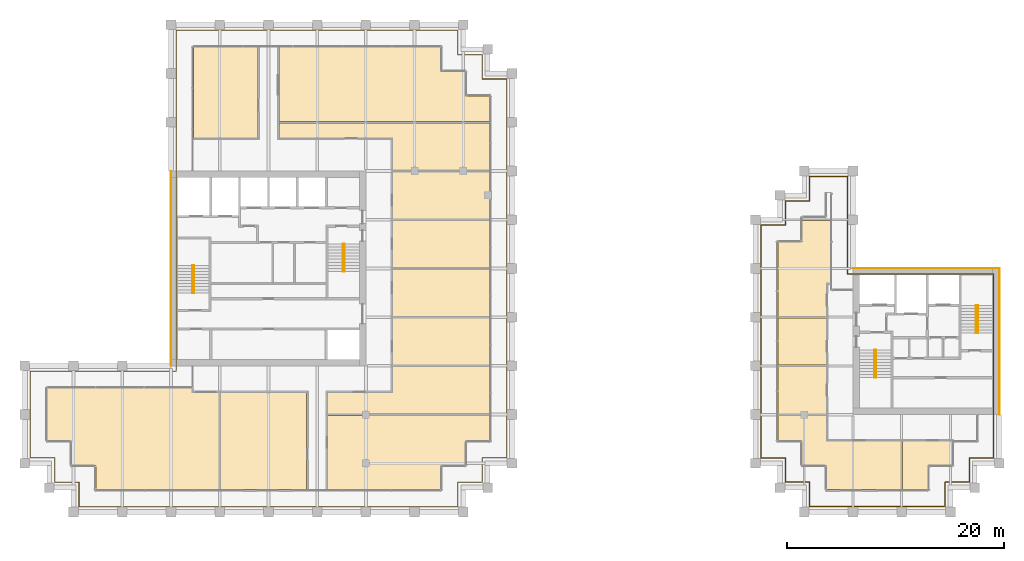
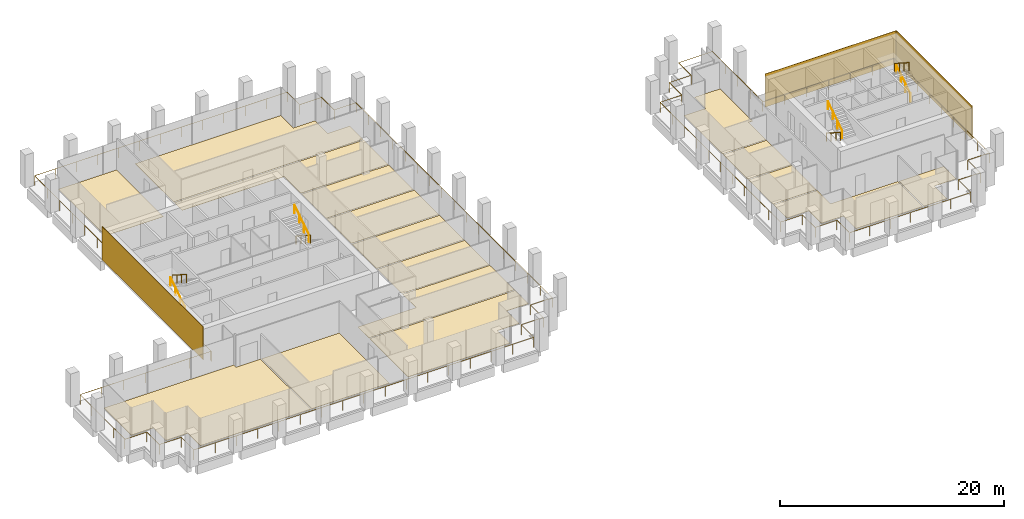
# One storey, part 40 of 40: 19 coverings, 10 railings.
"""IFC4 building model written with IfcOpenShell, lengths in metres."""

import ifcopenshell
import ifcopenshell.guid

model = None  # the IFC model being written
_history = None  # IfcOwnerHistory: only IFC2X3 demands one
_inside = {}  # id of a spatial element -> (the spatial element, [elements in it])
_under = {}  # id of a project, library or spatial element -> (it, [spatial elements below it])
_declared = {}  # id of a project -> (the project, [libraries it declares])
_typed = {}  # id of a type object -> (the type object, [elements of that type])
_made_of = {}  # id of a material, layer set ... -> (it, [elements and type objects made of it])


def new_model(schema):
    """Start an empty IFC model of exactly this schema.

    Asked for "IFC4X3", IfcOpenShell would pick the latest addendum, in which some entities
    have other attributes; the version numbers below select the first issue.
    IFC2X3 requires an IfcOwnerHistory on every rooted entity: one is made here for all.
    """
    global model, _history
    if schema == "IFC4X3":
        model = ifcopenshell.file(schema_version=(4, 3, 0, 0))
    else:
        model = ifcopenshell.file(schema=schema)
    _inside.clear()
    _under.clear()
    _declared.clear()
    _typed.clear()
    _made_of.clear()
    _history = None
    if model.schema == "IFC2X3":
        org = make("IfcOrganization", Name="unknown")
        user = make(
            "IfcPersonAndOrganization",
            ThePerson=make("IfcPerson", FamilyName="unknown"),
            TheOrganization=org,
        )
        app = make(
            "IfcApplication",
            ApplicationDeveloper=org,
            Version="unknown",
            ApplicationFullName="unknown",
            ApplicationIdentifier="unknown",
        )
        _history = make(
            "IfcOwnerHistory",
            OwningUser=user,
            OwningApplication=app,
            ChangeAction="ADDED",
            CreationDate=0,
        )
    return model


def make(cls, **values):
    """One entity of the class cls with the attributes given. An attribute that is None is left unset."""
    return model.create_entity(
        cls, **{name: value for name, value in values.items() if value is not None}
    )


def rooted(cls, **values):
    """An entity with a GlobalId (a new one), such as an element, a storey or a relation."""
    return make(cls, GlobalId=ifcopenshell.guid.new(), OwnerHistory=_history, **values)


def si_unit(unit_type, name, prefix=None):
    """IfcSIUnit, for example si_unit("LENGTHUNIT", "METRE", prefix="MILLI")."""
    return make("IfcSIUnit", UnitType=unit_type, Prefix=prefix, Name=name)


def assignment(units):
    """IfcUnitAssignment: the units of a project."""
    return None if units is None else make("IfcUnitAssignment", Units=units)


def point(xyz):
    """IfcCartesianPoint."""
    return None if xyz is None else make("IfcCartesianPoint", Coordinates=xyz)


def direction(xyz):
    """IfcDirection."""
    return None if xyz is None else make("IfcDirection", DirectionRatios=xyz)


def frame(location, z_axis=None, x_axis=None):
    """IfcAxis2Placement3D, a coordinate frame: its origin and axes. An axis left out is left unset."""
    return make(
        "IfcAxis2Placement3D",
        Location=point(location),
        Axis=direction(z_axis),
        RefDirection=direction(x_axis),
    )


def frame_2d(location, x_axis=None):
    """IfcAxis2Placement2D, a coordinate frame in the plane: its origin and x axis."""
    return make(
        "IfcAxis2Placement2D", Location=point(location), RefDirection=direction(x_axis)
    )


def origin():
    """The frame at (0, 0, 0) with its axes left unset."""
    return frame((0.0, 0.0, 0.0))


def origin_2d():
    """The frame at (0, 0) in the plane with its x axis left unset."""
    return frame_2d((0.0, 0.0))


def place(relative_to, where):
    """IfcLocalPlacement: puts the frame where relative to a parent placement (None: the world)."""
    return make(
        "IfcLocalPlacement", PlacementRelTo=relative_to, RelativePlacement=where
    )


def context(
    kind, dimensions, precision=None, world=None, true_north=None, identifier=None
):
    """IfcGeometricRepresentationContext, for example the 3D "Model" context."""
    return make(
        "IfcGeometricRepresentationContext",
        ContextIdentifier=identifier,
        ContextType=kind,
        CoordinateSpaceDimension=dimensions,
        Precision=precision,
        WorldCoordinateSystem=world,
        TrueNorth=true_north,
    )


def subcontext(parent, identifier, kind, view, scale=None):
    """IfcGeometricRepresentationSubContext, for example "Body" below "Model"."""
    return make(
        "IfcGeometricRepresentationSubContext",
        ContextIdentifier=identifier,
        ContextType=kind,
        ParentContext=parent,
        TargetScale=scale,
        TargetView=view,
    )


def project(units=None, contexts=None):
    """IfcProject with its units and contexts."""
    return rooted(
        "IfcProject",
        Name="project",
        RepresentationContexts=contexts,
        UnitsInContext=assignment(units),
    )


def spatial(cls, under=None, at=None, **own):
    """A site, building, storey or space (cls), placed at a placement, below another one or the project."""
    s = rooted(cls, ObjectPlacement=at, **own)
    if under is not None:
        _under.setdefault(under.id(), (under, []))[1].append(s)
    return s


def polyline(points):
    """IfcPolyline through the points."""
    return make("IfcPolyline", Points=[point(p) for p in points])


def profile(cls, at=None, kind="AREA", **sizes):
    """A parametric profile (cls). Its sizes go by their IFC names, for example OverallWidth=200.0."""
    return make(cls, ProfileType=kind, Position=at, **sizes)


def rectangle(**sizes):
    """IfcRectangleProfileDef."""
    return profile("IfcRectangleProfileDef", **sizes)


def circle(**sizes):
    """IfcCircleProfileDef."""
    return profile("IfcCircleProfileDef", **sizes)


def outline(outer, holes=None, kind="AREA"):
    """IfcArbitraryClosedProfileDef: a profile drawn as a closed curve; with holes, ...WithVoids."""
    if holes is None:
        return make("IfcArbitraryClosedProfileDef", ProfileType=kind, OuterCurve=outer)
    return make(
        "IfcArbitraryProfileDefWithVoids",
        ProfileType=kind,
        OuterCurve=outer,
        InnerCurves=holes,
    )


def extrude(swept, where, along, depth):
    """IfcExtrudedAreaSolid: the profile swept, set in the frame where, extruded along a direction by depth."""
    return make(
        "IfcExtrudedAreaSolid",
        SweptArea=swept,
        Position=where,
        ExtrudedDirection=direction(along),
        Depth=depth,
    )


def shape(context_of_items, identifier, shape_type, items):
    """IfcShapeRepresentation: the items that make up one representation, for example the "Body"."""
    return make(
        "IfcShapeRepresentation",
        ContextOfItems=context_of_items,
        RepresentationIdentifier=identifier,
        RepresentationType=shape_type,
        Items=items,
    )


def source(mapping_origin, context_of_items, identifier, shape_type, items):
    """IfcRepresentationMap: a shape defined once, which mapped items show again and again."""
    return make(
        "IfcRepresentationMap",
        MappingOrigin=mapping_origin,
        MappedRepresentation=shape(context_of_items, identifier, shape_type, items),
    )


def transform(
    local_origin,
    x_axis=None,
    y_axis=None,
    z_axis=None,
    scale=None,
    scale2=None,
    scale3=None,
    uniform=True,
):
    """IfcCartesianTransformationOperator3D, or its non-uniform kind. x_axis, y_axis, z_axis: its Axis1, 2, 3."""
    if uniform:
        return make(
            "IfcCartesianTransformationOperator3D",
            Axis1=direction(x_axis),
            Axis2=direction(y_axis),
            LocalOrigin=point(local_origin),
            Scale=scale,
            Axis3=direction(z_axis),
        )
    return make(
        "IfcCartesianTransformationOperator3DnonUniform",
        Axis1=direction(x_axis),
        Axis2=direction(y_axis),
        LocalOrigin=point(local_origin),
        Scale=scale,
        Axis3=direction(z_axis),
        Scale2=scale2,
        Scale3=scale3,
    )


def mapped(mapping_source, mapping_target):
    """IfcMappedItem: shows the shape of a source again, moved by a transform."""
    return make(
        "IfcMappedItem", MappingSource=mapping_source, MappingTarget=mapping_target
    )


def material(Name=None, Category=None):
    """IfcMaterial."""
    return make("IfcMaterial", Name=Name, Category=Category)


def layer(
    of_material, thickness, ventilated=None, Name=None, Category=None, Priority=None
):
    """IfcMaterialLayer: one layer of a wall or slab, of a material (None: an air gap)."""
    return make(
        "IfcMaterialLayer",
        Material=of_material,
        LayerThickness=thickness,
        IsVentilated=ventilated,
        Name=Name,
        Category=Category,
        Priority=Priority,
    )


def layer_set(layers, Name=None):
    """IfcMaterialLayerSet."""
    return make("IfcMaterialLayerSet", MaterialLayers=layers, LayerSetName=Name)


def made_of(thing, what):
    """Note that an element or type object is made of a material, layer set ...; save() writes the relation."""
    if what is not None:
        _made_of.setdefault(what.id(), (what, []))[1].append(thing)
    return thing


def type_object(cls, material=None, **own):
    """A type object (cls), such as IfcWallType, which elements share."""
    return made_of(rooted(cls, **own), material)


def element(
    cls,
    number,
    at=None,
    inside=None,
    cuts=None,
    type_object=None,
    material=None,
    context=None,
    identifier="Body",
    shape_type=None,
    held_by="IfcProductDefinitionShape",
    body=None,
    shapes=None,
    **own,
):
    """One element of the class cls, such as IfcWall. Its Tag is "e" and its number.

    at: its placement. inside: the storey or other place that contains it. cuts: it is an
    opening in that element (IfcRelVoidsElement). A single representation is given by context,
    identifier, shape_type and body (its items); several are given by shapes. held_by: the class
    of the entity that holds the representations. save() writes the other relations.
    """
    e = rooted(cls, Tag="e%d" % number, ObjectPlacement=at, **own)
    if body is not None:
        shapes = [shape(context, identifier, shape_type, body)]
    if shapes is not None:
        e.Representation = make(held_by, Representations=shapes)
    if inside is not None:
        _inside.setdefault(inside.id(), (inside, []))[1].append(e)
    if cuts is not None:
        rooted(
            "IfcRelVoidsElement", RelatingBuildingElement=cuts, RelatedOpeningElement=e
        )
    if type_object is not None:
        _typed.setdefault(type_object.id(), (type_object, []))[1].append(e)
    return made_of(e, material)


def aggregate(whole, parts):
    """IfcRelAggregates: a whole, such as a stair, and the parts it consists of."""
    return rooted("IfcRelAggregates", RelatingObject=whole, RelatedObjects=parts)


def save(model, path):
    """Write the relations noted so far, then the file.

    IfcRelAggregates (storeys below a building ...), IfcRelContainedInSpatialStructure (elements
    in a storey), IfcRelDefinesByType, IfcRelAssociatesMaterial and IfcRelDeclares: one each for
    every whole, place, type object, material and project.
    """
    for whole, parts in _under.values():
        aggregate(whole, parts)
    for where, things in _inside.values():
        rooted(
            "IfcRelContainedInSpatialStructure",
            RelatedElements=things,
            RelatingStructure=where,
        )
    for kind, things in _typed.values():
        rooted("IfcRelDefinesByType", RelatedObjects=things, RelatingType=kind)
    for what, things in _made_of.values():
        rooted("IfcRelAssociatesMaterial", RelatedObjects=things, RelatingMaterial=what)
    for by, libraries in _declared.values():
        rooted("IfcRelDeclares", RelatingContext=by, RelatedDefinitions=libraries)
    model.write(path)


model = new_model("IFC4")

# Units and contexts
model_context = context("Model", 3, precision=1e-05, world=origin(), true_north=direction((0.0, 1.0)))
body_context = subcontext(model_context, "Body", "Model", "MODEL_VIEW")
ifc_project = project(units=[si_unit("LENGTHUNIT", "METRE"), si_unit("AREAUNIT", "SQUARE_METRE"), si_unit("VOLUMEUNIT", "CUBIC_METRE"), si_unit("PLANEANGLEUNIT", "RADIAN"), si_unit("MASSUNIT", "GRAM", prefix="KILO")], contexts=[model_context])

# Site, building, storey
site_placement = place(None, origin())
site = spatial("IfcSite", under=ifc_project, at=site_placement, CompositionType="ELEMENT")
building_placement = place(site_placement, origin())
building = spatial("IfcBuilding", under=site, at=building_placement, Name="Altepetl Exchange Towers", CompositionType="ELEMENT")
storey_placement = place(building_placement, frame((0.0, 0.0, 179.800048828125)))
storey = spatial("IfcBuildingStorey", under=building, at=storey_placement, Name="L45", CompositionType="ELEMENT", Elevation=179.800048828125)

# Coverings
ifc_material_1 = material(Name="Carpet tile")
ifc_layer_1 = layer(ifc_material_1, 0.02001953125)
ifc_layer_set_1 = layer_set([ifc_layer_1], Name="Carpet tile")
covering_type_1 = type_object("IfcCoveringType", Name="Carpet tile floor", PredefinedType="FLOORING", material=ifc_layer_set_1)
covering_1_placement = place(storey_placement, origin())
element("IfcCovering", 1, at=covering_1_placement, inside=storey, type_object=covering_type_1, Name="Meeting room floor finish A45.05", PredefinedType="FLOORING", context=body_context, shape_type="SweptSolid", body=[
    extrude(outline(polyline([(69.9375, 44.9375), (60.96240234375, 44.9375), (60.96240234375, 40.5625), (69.9375, 40.5625), (69.9375, 44.9375)])), origin(), (0.0, 0.0, 1.0), 0.02001953125),
])
covering_2_placement = place(storey_placement, origin())
element("IfcCovering", 2, at=covering_2_placement, inside=storey, type_object=covering_type_1, Name="Meeting room floor finish A45.06", PredefinedType="FLOORING", context=body_context, shape_type="SweptSolid", body=[
    extrude(outline(polyline([(69.9375, 49.4375), (60.96240234375, 49.4375), (60.96240234375, 45.0625), (69.9375, 45.0625), (69.9375, 49.4375)])), origin(), (0.0, 0.0, 1.0), 0.02001953125),
])
covering_3_placement = place(storey_placement, origin())
element("IfcCovering", 3, at=covering_3_placement, inside=storey, type_object=covering_type_1, Name="Open office floor finish A45.11", PredefinedType="FLOORING", context=body_context, shape_type="SweptSolid", body=[
    extrude(outline(polyline([(42.5625, 61.5625), (48.53759765625, 61.5625), (48.53759765625, 69.9375), (42.5625, 69.9375), (42.5625, 61.5625)])), origin(), (0.0, 0.0, 1.0), 0.02001953125),
])
covering_4_placement = place(storey_placement, origin())
element("IfcCovering", 4, at=covering_4_placement, inside=storey, type_object=covering_type_1, Name="Pantry floor finish B45.03", PredefinedType="FLOORING", context=body_context, shape_type="SweptSolid", body=[
    extrude(outline(polyline([(108.0625, 33.53759765625), (108.0625, 29.0625), (110.4375, 29.0625), (110.4375, 31.3125), (112.6875, 31.3125), (112.6875, 33.53759765625), (108.0625, 33.53759765625)])), origin(), (0.0, 0.0, 1.0), 0.02001953125),
])
ifc_material_2 = material(Name="Cantera stone", Category="masonry")
ifc_layer_2 = layer(ifc_material_2, 0.030029296875)
ifc_layer_set_2 = layer_set([ifc_layer_2], Name="Cantera stone")
covering_type_2 = type_object("IfcCoveringType", Name="Polished stone floor", PredefinedType="FLOORING", material=ifc_layer_set_2)
covering_5_placement = place(storey_placement, origin())
element("IfcCovering", 5, at=covering_5_placement, inside=storey, type_object=covering_type_2, Name="Staff club floor finish A45.01", PredefinedType="FLOORING", context=body_context, shape_type="SweptSolid", body=[
    extrude(outline(polyline([(31.3125, 31.3125), (33.5625, 31.3125), (33.5625, 29.0625), (44.9375, 29.0625), (44.9375, 38.03759765625), (42.4375, 38.03759765625), (42.4375, 38.4375), (29.0625, 38.4375), (29.0625, 33.5625), (31.3125, 33.5625), (31.3125, 31.3125)])), origin(), (0.0, 0.0, 1.0), 0.030029296875),
])
covering_6_placement = place(storey_placement, origin())
element("IfcCovering", 6, at=covering_6_placement, inside=storey, type_object=covering_type_2, Name="Cafe floor finish A45.02", PredefinedType="FLOORING", context=body_context, shape_type="SweptSolid", body=[
    extrude(outline(polyline([(45.0625, 38.03759765625), (45.0625, 29.0625), (53.03759765625, 29.0625), (53.03759765625, 38.03759765625), (45.0625, 38.03759765625)])), origin(), (0.0, 0.0, 1.0), 0.030029296875),
])
covering_7_placement = place(storey_placement, origin())
element("IfcCovering", 7, at=covering_7_placement, inside=storey, type_object=covering_type_2, Name="Gymnasium floor finish A45.03", PredefinedType="FLOORING", context=body_context, shape_type="SweptSolid", body=[
    extrude(outline(polyline([(69.9375, 35.9375), (54.96240234375, 35.9375), (54.96240234375, 29.0625), (65.4375, 29.0625), (65.4375, 31.3125), (67.6875, 31.3125), (67.6875, 33.5625), (69.9375, 33.5625), (69.9375, 35.9375)])), origin(), (0.0, 0.0, 1.0), 0.030029296875),
])
covering_8_placement = place(storey_placement, origin())
element("IfcCovering", 8, at=covering_8_placement, inside=storey, type_object=covering_type_2, Name="Prayer room floor finish A45.04", PredefinedType="FLOORING", context=body_context, shape_type="SweptSolid", body=[
    extrude(outline(polyline([(69.9375, 40.4375), (60.96240234375, 40.4375), (60.96240234375, 38.03759765625), (54.96240234375, 38.03759765625), (54.96240234375, 36.0625), (69.9375, 36.0625), (69.9375, 40.4375)])), origin(), (0.0, 0.0, 1.0), 0.030029296875),
])
covering_9_placement = place(storey_placement, origin())
element("IfcCovering", 9, at=covering_9_placement, inside=storey, type_object=covering_type_2, Name="Lounge floor finish A45.07", PredefinedType="FLOORING", context=body_context, shape_type="SweptSolid", body=[
    extrude(outline(polyline([(69.9375, 53.9375), (60.96240234375, 53.9375), (60.96240234375, 49.5625), (69.9375, 49.5625), (69.9375, 53.9375)])), origin(), (0.0, 0.0, 1.0), 0.030029296875),
])
covering_10_placement = place(storey_placement, origin())
element("IfcCovering", 10, at=covering_10_placement, inside=storey, type_object=covering_type_2, Name="Lounge floor finish A45.08", PredefinedType="FLOORING", context=body_context, shape_type="SweptSolid", body=[
    extrude(outline(polyline([(69.9375, 58.4375), (60.96240234375, 58.4375), (60.96240234375, 54.0625), (69.9375, 54.0625), (69.9375, 58.4375)])), origin(), (0.0, 0.0, 1.0), 0.030029296875),
])
covering_11_placement = place(storey_placement, origin())
element("IfcCovering", 11, at=covering_11_placement, inside=storey, type_object=covering_type_2, Name="Library floor finish A45.09", PredefinedType="FLOORING", context=body_context, shape_type="SweptSolid", body=[
    extrude(outline(polyline([(69.9375, 62.9375), (50.46240234375, 62.9375), (50.46240234375, 61.5625), (60.96240234375, 61.5625), (60.96240234375, 58.5625), (69.9375, 58.5625), (69.9375, 62.9375)])), origin(), (0.0, 0.0, 1.0), 0.030029296875),
])
covering_12_placement = place(storey_placement, origin())
element("IfcCovering", 12, at=covering_12_placement, inside=storey, type_object=covering_type_2, Name="Restaurant floor finish A45.10", PredefinedType="FLOORING", context=body_context, shape_type="SweptSolid", body=[
    extrude(outline(polyline([(67.6875, 67.6875), (65.4375, 67.6875), (65.4375, 69.9375), (50.46240234375, 69.9375), (50.46240234375, 63.0625), (69.9375, 63.0625), (69.9375, 65.4375), (67.6875, 65.4375), (67.6875, 67.6875)])), origin(), (0.0, 0.0, 1.0), 0.030029296875),
])
covering_13_placement = place(storey_placement, origin())
element("IfcCovering", 13, at=covering_13_placement, inside=storey, type_object=covering_type_2, Name="Lounge floor finish B45.01", PredefinedType="FLOORING", context=body_context, shape_type="SweptSolid", body=[
    extrude(outline(polyline([(96.5625, 36.0625), (101.03759765625, 36.0625), (101.03759765625, 40.4375), (96.5625, 40.4375), (96.5625, 36.0625)])), origin(), (0.0, 0.0, 1.0), 0.030029296875),
])
covering_14_placement = place(storey_placement, origin())
element("IfcCovering", 14, at=covering_14_placement, inside=storey, type_object=covering_type_2, Name="Auditorium floor finish B45.02", PredefinedType="FLOORING", context=body_context, shape_type="SweptSolid", body=[
    extrude(outline(polyline([(98.8125, 33.5625), (98.8125, 31.3125), (101.0625, 31.3125), (101.0625, 29.0625), (107.9375, 29.0625), (107.9375, 33.53759765625), (101.03759765625, 33.53759765625), (101.03759765625, 35.9375), (96.5625, 35.9375), (96.5625, 33.5625), (98.8125, 33.5625)])), origin(), (0.0, 0.0, 1.0), 0.030029296875),
])
covering_15_placement = place(storey_placement, origin())
element("IfcCovering", 15, at=covering_15_placement, inside=storey, type_object=covering_type_2, Name="Auditorium floor finish B45.04", PredefinedType="FLOORING", context=body_context, shape_type="SweptSolid", body=[
    extrude(outline(polyline([(96.5625, 45.0625), (101.03759765625, 45.0625), (101.03759765625, 48.16259765625), (101.4375, 48.16259765625), (101.4375, 53.9375), (98.8125, 53.9375), (98.8125, 51.9375), (96.5625, 51.9375), (96.5625, 45.0625)])), origin(), (0.0, 0.0, 1.0), 0.030029296875),
])
covering_16_placement = place(storey_placement, origin())
element("IfcCovering", 16, at=covering_16_placement, inside=storey, type_object=covering_type_2, Name="Lounge floor finish B45.05", PredefinedType="FLOORING", context=body_context, shape_type="SweptSolid", body=[
    extrude(outline(polyline([(96.5625, 40.5625), (101.03759765625, 40.5625), (101.03759765625, 44.9375), (96.5625, 44.9375), (96.5625, 40.5625)])), origin(), (0.0, 0.0, 1.0), 0.030029296875),
])
ifc_material_3 = material(Name="Cantera limestone cladding", Category="masonry")
ifc_layer_3 = layer(ifc_material_3, 0.0400390625)
ifc_layer_set_3 = layer_set([ifc_layer_3], Name="Cantera limestone cladding")
covering_type_3 = type_object("IfcCoveringType", Name="Stone panel 40 cantera", PredefinedType="CLADDING", material=ifc_layer_set_3)
covering_17_placement = place(storey_placement, frame((40.47998046875, 49.5, 0.0), z_axis=(0.0, 0.0, 1.0), x_axis=(0.0, -1.0, 0.0)))
element("IfcCovering", 17, at=covering_17_placement, inside=storey, type_object=covering_type_3, Name="Stone cladding panel", PredefinedType="CLADDING", context=body_context, shape_type="SweptSolid", body=[
    extrude(rectangle(XDim=18.0, YDim=0.0400390625, at=origin_2d()), origin(), (0.0, 0.0, 1.0), 3.60009765625),
])
for number, where, z_axis, x_axis, name in (
    (18, (117.02001953125, 42.75, 0.0), (0.0, 0.0, 1.0), (0.0, 1.0, 0.0), "Stone cladding panel"),
    (19, (110.25, 49.52001953125, 0.0), (0.0, 0.0, 1.0), (-1.0, 0.0, 0.0), "Stone cladding panel"),
):
    element("IfcCovering", number, at=place(storey_placement, frame(where, z_axis=z_axis, x_axis=x_axis)), inside=storey, type_object=covering_type_3, Name=name, PredefinedType="CLADDING", context=body_context, shape_type="SweptSolid", body=[
        extrude(rectangle(XDim=13.5, YDim=0.0400390625, at=origin_2d()), origin(), (0.0, 0.0, 1.0), 3.60009765625),
    ])

# Railings
ifc_material_4 = material(Name="Steel S355", Category="steel")
railing_type_1 = type_object("IfcRailingType", Name="Guard 1100 steel posts and rail", PredefinedType="GUARDRAIL", material=ifc_material_4)
shared_shape_1 = source(origin(), body_context, "Body", "SweptSolid", [
    extrude(circle(Radius=0.02099609375, at=origin_2d()), origin(), (0.0, 0.0, 1.0), 1.052001953125),
])
railing_1_placement = place(storey_placement, frame((41.0, 40.0, 0.0)))
element("IfcRailing", 20, at=railing_1_placement, inside=storey, type_object=railing_type_1, Name="Loggia guard", PredefinedType="GUARDRAIL", context=body_context, shape_type="SweptSolid", body=[
    extrude(circle(Radius=0.02392578125, at=origin_2d()), frame((0.0, 0.0, 1.076171875), z_axis=(-1.0, 0.0, 0.0), x_axis=(0.0, -1.0, 0.0)), (0.0, 0.0, 1.0), 13.5),
    extrude(circle(Radius=0.02392578125, at=origin_2d()), frame((-13.5, 0.0, 1.076171875), z_axis=(0.0, -1.0, 0.0), x_axis=(1.0, 0.0, 0.0)), (0.0, 0.0, 1.0), 8.0),
    extrude(circle(Radius=0.02392578125, at=origin_2d()), frame((-13.5, -8.0, 1.076171875), z_axis=(1.0, 0.0, 0.0), x_axis=(0.0, 1.0, 0.0)), (0.0, 0.0, 1.0), 2.25),
    extrude(circle(Radius=0.02392578125, at=origin_2d()), frame((-11.25, -8.0, 1.076171875), z_axis=(0.0, -1.0, 0.0), x_axis=(1.0, 0.0, 0.0)), (0.0, 0.0, 1.0), 2.25),
    extrude(circle(Radius=0.02392578125, at=origin_2d()), frame((-11.25, -10.25, 1.076171875), z_axis=(1.0, 0.0, 0.0), x_axis=(0.0, 1.0, 0.0)), (0.0, 0.0, 1.0), 2.25),
    extrude(circle(Radius=0.02392578125, at=origin_2d()), frame((-9.0, -10.25, 1.076171875), z_axis=(0.0, -1.0, 0.0), x_axis=(1.0, 0.0, 0.0)), (0.0, 0.0, 1.0), 2.25),
    extrude(circle(Radius=0.02392578125, at=origin_2d()), frame((-9.0, -12.5, 1.076171875), z_axis=(1.0, 0.0, 0.0), x_axis=(0.0, 1.0, 0.0)), (0.0, 0.0, 1.0), 35.0),
    extrude(circle(Radius=0.02392578125, at=origin_2d()), frame((26.0, -12.5, 1.076171875), z_axis=(0.0, 1.0, 0.0), x_axis=(-1.0, 0.0, 0.0)), (0.0, 0.0, 1.0), 2.25),
    extrude(circle(Radius=0.02392578125, at=origin_2d()), frame((26.0, -10.25, 1.076171875), z_axis=(1.0, 0.0, 0.0), x_axis=(0.0, 1.0, 0.0)), (0.0, 0.0, 1.0), 2.25),
    extrude(circle(Radius=0.02392578125, at=origin_2d()), frame((28.25, -10.25, 1.076171875), z_axis=(0.0, 1.0, 0.0), x_axis=(-1.0, 0.0, 0.0)), (0.0, 0.0, 1.0), 2.25),
    extrude(circle(Radius=0.02392578125, at=origin_2d()), frame((28.25, -8.0, 1.076171875), z_axis=(1.0, 0.0, 0.0), x_axis=(0.0, 1.0, 0.0)), (0.0, 0.0, 1.0), 2.25),
    extrude(circle(Radius=0.02392578125, at=origin_2d()), frame((30.5, -8.0, 1.076171875), z_axis=(0.0, 1.0, 0.0), x_axis=(-1.0, 0.0, 0.0)), (0.0, 0.0, 1.0), 35.0),
    extrude(circle(Radius=0.02392578125, at=origin_2d()), frame((30.5, 27.0, 1.076171875), z_axis=(-1.0, 0.0, 0.0), x_axis=(0.0, -1.0, 0.0)), (0.0, 0.0, 1.0), 2.25),
    extrude(circle(Radius=0.02392578125, at=origin_2d()), frame((28.25, 27.0, 1.076171875), z_axis=(0.0, 1.0, 0.0), x_axis=(-1.0, 0.0, 0.0)), (0.0, 0.0, 1.0), 2.25),
    extrude(circle(Radius=0.02392578125, at=origin_2d()), frame((28.25, 29.25, 1.076171875), z_axis=(-1.0, 0.0, 0.0), x_axis=(0.0, -1.0, 0.0)), (0.0, 0.0, 1.0), 2.25),
    extrude(circle(Radius=0.02392578125, at=origin_2d()), frame((26.0, 29.25, 1.076171875), z_axis=(0.0, 1.0, 0.0), x_axis=(-1.0, 0.0, 0.0)), (0.0, 0.0, 1.0), 2.25),
    extrude(circle(Radius=0.02392578125, at=origin_2d()), frame((26.0, 31.5, 1.076171875), z_axis=(-1.0, 0.0, 0.0), x_axis=(0.0, -1.0, 0.0)), (0.0, 0.0, 1.0), 26.0),
    extrude(circle(Radius=0.02392578125, at=origin_2d()), frame((0.0, 31.5, 1.076171875), z_axis=(0.0, -1.0, 0.0), x_axis=(1.0, 0.0, 0.0)), (0.0, 0.0, 1.0), 31.39990234375),
    mapped(shared_shape_1, transform((0.0, 0.0, 0.0))),
    mapped(shared_shape_1, transform((-2.25, 0.0, 0.0))),
    mapped(shared_shape_1, transform((-4.5, 0.0, 0.0))),
    mapped(shared_shape_1, transform((-6.75, 0.0, 0.0))),
    mapped(shared_shape_1, transform((-9.0, 0.0, 0.0))),
    mapped(shared_shape_1, transform((-11.25, 0.0, 0.0))),
    mapped(shared_shape_1, transform((-13.5, 0.0, 0.0))),
    mapped(shared_shape_1, transform((-13.5, -2.0, 0.0))),
    mapped(shared_shape_1, transform((-13.5, -4.0, 0.0))),
    mapped(shared_shape_1, transform((-13.5, -6.0, 0.0))),
    mapped(shared_shape_1, transform((-13.5, -8.0, 0.0))),
    mapped(shared_shape_1, transform((-11.25, -8.0, 0.0))),
    mapped(shared_shape_1, transform((-11.25, -10.25, 0.0))),
    mapped(shared_shape_1, transform((-9.0, -10.25, 0.0))),
    mapped(shared_shape_1, transform((-9.0, -12.5, 0.0))),
    mapped(shared_shape_1, transform((-6.8125, -12.5, 0.0))),
    mapped(shared_shape_1, transform((-4.625, -12.5, 0.0))),
    mapped(shared_shape_1, transform((-2.4375, -12.5, 0.0))),
    mapped(shared_shape_1, transform((-0.25, -12.5, 0.0))),
    mapped(shared_shape_1, transform((1.9375, -12.5, 0.0))),
    mapped(shared_shape_1, transform((4.125, -12.5, 0.0))),
    mapped(shared_shape_1, transform((6.3125, -12.5, 0.0))),
    mapped(shared_shape_1, transform((8.5, -12.5, 0.0))),
    mapped(shared_shape_1, transform((10.6875, -12.5, 0.0))),
    mapped(shared_shape_1, transform((12.875, -12.5, 0.0))),
    mapped(shared_shape_1, transform((15.0625, -12.5, 0.0))),
    mapped(shared_shape_1, transform((17.25, -12.5, 0.0))),
    mapped(shared_shape_1, transform((19.4375, -12.5, 0.0))),
    mapped(shared_shape_1, transform((21.625, -12.5, 0.0))),
    mapped(shared_shape_1, transform((23.8125, -12.5, 0.0))),
    mapped(shared_shape_1, transform((26.0, -12.5, 0.0))),
    mapped(shared_shape_1, transform((26.0, -10.25, 0.0))),
    mapped(shared_shape_1, transform((28.25, -10.25, 0.0))),
    mapped(shared_shape_1, transform((28.25, -8.0, 0.0))),
    mapped(shared_shape_1, transform((30.5, -8.0, 0.0))),
    mapped(shared_shape_1, transform((30.5, -5.8125, 0.0))),
    mapped(shared_shape_1, transform((30.5, -3.625, 0.0))),
    mapped(shared_shape_1, transform((30.5, -1.4375, 0.0))),
    mapped(shared_shape_1, transform((30.5, 0.75, 0.0))),
    mapped(shared_shape_1, transform((30.5, 2.9375, 0.0))),
    mapped(shared_shape_1, transform((30.5, 5.125, 0.0))),
    mapped(shared_shape_1, transform((30.5, 7.3125, 0.0))),
    mapped(shared_shape_1, transform((30.5, 9.5, 0.0))),
    mapped(shared_shape_1, transform((30.5, 11.6875, 0.0))),
    mapped(shared_shape_1, transform((30.5, 13.875, 0.0))),
    mapped(shared_shape_1, transform((30.5, 16.0625, 0.0))),
    mapped(shared_shape_1, transform((30.5, 18.25, 0.0))),
    mapped(shared_shape_1, transform((30.5, 20.4375, 0.0))),
    mapped(shared_shape_1, transform((30.5, 22.625, 0.0))),
    mapped(shared_shape_1, transform((30.5, 24.8125, 0.0))),
    mapped(shared_shape_1, transform((30.5, 27.0, 0.0))),
    mapped(shared_shape_1, transform((28.25, 27.0, 0.0))),
    mapped(shared_shape_1, transform((28.25, 29.25, 0.0))),
    mapped(shared_shape_1, transform((26.0, 29.25, 0.0))),
    mapped(shared_shape_1, transform((26.0, 31.5, 0.0))),
    mapped(shared_shape_1, transform((23.833251953125, 31.5, 0.0))),
    mapped(shared_shape_1, transform((21.666748046875, 31.5, 0.0))),
    mapped(shared_shape_1, transform((19.5, 31.5, 0.0))),
    mapped(shared_shape_1, transform((17.333251953125, 31.5, 0.0))),
    mapped(shared_shape_1, transform((15.166748046875, 31.5, 0.0))),
    mapped(shared_shape_1, transform((13.0, 31.5, 0.0))),
    mapped(shared_shape_1, transform((10.833251953125, 31.5, 0.0))),
    mapped(shared_shape_1, transform((8.666748046875, 31.5, 0.0))),
    mapped(shared_shape_1, transform((6.5, 31.5, 0.0))),
    mapped(shared_shape_1, transform((4.333251953125, 31.5, 0.0))),
    mapped(shared_shape_1, transform((2.166748046875, 31.5, 0.0))),
    mapped(shared_shape_1, transform((0.0, 31.5, 0.0))),
    mapped(shared_shape_1, transform((0.0, 29.257080078125, 0.0))),
    mapped(shared_shape_1, transform((0.0, 27.014404296875, 0.0))),
    mapped(shared_shape_1, transform((0.0, 24.771484375, 0.0))),
    mapped(shared_shape_1, transform((0.0, 22.528564453125, 0.0))),
    mapped(shared_shape_1, transform((0.0, 20.28564453125, 0.0))),
    mapped(shared_shape_1, transform((0.0, 18.04296875, 0.0))),
    mapped(shared_shape_1, transform((0.0, 15.800048828125, 0.0))),
    mapped(shared_shape_1, transform((0.0, 13.55712890625, 0.0))),
    mapped(shared_shape_1, transform((0.0, 11.314453125, 0.0))),
    mapped(shared_shape_1, transform((0.0, 9.071533203125, 0.0))),
    mapped(shared_shape_1, transform((0.0, 6.82861328125, 0.0))),
    mapped(shared_shape_1, transform((0.0, 4.585693359375, 0.0))),
    mapped(shared_shape_1, transform((0.0, 2.343017578125, 0.0))),
    mapped(shared_shape_1, transform((0.0, 0.10009765625, 0.0))),
])
railing_2_placement = place(storey_placement, frame((99.5, 27.5, 0.0)))
element("IfcRailing", 21, at=railing_2_placement, inside=storey, type_object=railing_type_1, Name="Loggia guard", PredefinedType="GUARDRAIL", context=body_context, shape_type="SweptSolid", body=[
    extrude(circle(Radius=0.02392578125, at=origin_2d()), frame((0.0, 0.0, 1.076171875), z_axis=(1.0, 0.0, 0.0), x_axis=(0.0, 1.0, 0.0)), (0.0, 0.0, 1.0), 12.5),
    extrude(circle(Radius=0.02392578125, at=origin_2d()), frame((12.5, 0.0, 1.076171875), z_axis=(0.0, 1.0, 0.0), x_axis=(-1.0, 0.0, 0.0)), (0.0, 0.0, 1.0), 2.25),
    extrude(circle(Radius=0.02392578125, at=origin_2d()), frame((12.5, 2.25, 1.076171875), z_axis=(1.0, 0.0, 0.0), x_axis=(0.0, 1.0, 0.0)), (0.0, 0.0, 1.0), 2.25),
    extrude(circle(Radius=0.02392578125, at=origin_2d()), frame((14.75, 2.25, 1.076171875), z_axis=(0.0, 1.0, 0.0), x_axis=(-1.0, 0.0, 0.0)), (0.0, 0.0, 1.0), 2.25),
    extrude(circle(Radius=0.02392578125, at=origin_2d()), frame((14.75, 4.5, 1.076171875), z_axis=(1.0, 0.0, 0.0), x_axis=(0.0, 1.0, 0.0)), (0.0, 0.0, 1.0), 2.25),
    extrude(circle(Radius=0.02392578125, at=origin_2d()), frame((17.0, 4.5, 1.076171875), z_axis=(0.0, 1.0, 0.0), x_axis=(-1.0, 0.0, 0.0)), (0.0, 0.0, 1.0), 17.0),
    extrude(circle(Radius=0.02392578125, at=origin_2d()), frame((17.0, 21.5, 1.076171875), z_axis=(-1.0, 0.0, 0.0), x_axis=(0.0, -1.0, 0.0)), (0.0, 0.0, 1.0), 13.5),
    extrude(circle(Radius=0.02392578125, at=origin_2d()), frame((3.5, 21.5, 1.076171875), z_axis=(0.0, 1.0, 0.0), x_axis=(-1.0, 0.0, 0.0)), (0.0, 0.0, 1.0), 9.0),
    extrude(circle(Radius=0.02392578125, at=origin_2d()), frame((3.5, 30.5, 1.076171875), z_axis=(-1.0, 0.0, 0.0), x_axis=(0.0, -1.0, 0.0)), (0.0, 0.0, 1.0), 3.5),
    extrude(circle(Radius=0.02392578125, at=origin_2d()), frame((0.0, 30.5, 1.076171875), z_axis=(0.0, -1.0, 0.0), x_axis=(1.0, 0.0, 0.0)), (0.0, 0.0, 1.0), 2.25),
    extrude(circle(Radius=0.02392578125, at=origin_2d()), frame((0.0, 28.25, 1.076171875), z_axis=(-1.0, 0.0, 0.0), x_axis=(0.0, -1.0, 0.0)), (0.0, 0.0, 1.0), 2.25),
    extrude(circle(Radius=0.02392578125, at=origin_2d()), frame((-2.25, 28.25, 1.076171875), z_axis=(0.0, -1.0, 0.0), x_axis=(1.0, 0.0, 0.0)), (0.0, 0.0, 1.0), 2.25),
    extrude(circle(Radius=0.02392578125, at=origin_2d()), frame((-2.25, 26.0, 1.076171875), z_axis=(-1.0, 0.0, 0.0), x_axis=(0.0, -1.0, 0.0)), (0.0, 0.0, 1.0), 2.25),
    extrude(circle(Radius=0.02392578125, at=origin_2d()), frame((-4.5, 26.0, 1.076171875), z_axis=(0.0, -1.0, 0.0), x_axis=(1.0, 0.0, 0.0)), (0.0, 0.0, 1.0), 21.5),
    extrude(circle(Radius=0.02392578125, at=origin_2d()), frame((-4.5, 4.5, 1.076171875), z_axis=(1.0, 0.0, 0.0), x_axis=(0.0, 1.0, 0.0)), (0.0, 0.0, 1.0), 2.25),
    extrude(circle(Radius=0.02392578125, at=origin_2d()), frame((-2.25, 4.5, 1.076171875), z_axis=(0.0, -1.0, 0.0), x_axis=(1.0, 0.0, 0.0)), (0.0, 0.0, 1.0), 2.25),
    extrude(circle(Radius=0.02392578125, at=origin_2d()), frame((-2.25, 2.25, 1.076171875), z_axis=(1.0, 0.0, 0.0), x_axis=(0.0, 1.0, 0.0)), (0.0, 0.0, 1.0), 2.25),
    extrude(circle(Radius=0.02392578125, at=origin_2d()), frame((0.0, 2.25, 1.076171875), z_axis=(0.0, -1.0, 0.0), x_axis=(1.0, 0.0, 0.0)), (0.0, 0.0, 1.0), 2.14990234375),
    mapped(shared_shape_1, transform((0.0, 0.0, 0.0))),
    mapped(shared_shape_1, transform((2.083251953125, 0.0, 0.0))),
    mapped(shared_shape_1, transform((4.166748046875, 0.0, 0.0))),
    mapped(shared_shape_1, transform((6.25, 0.0, 0.0))),
    mapped(shared_shape_1, transform((8.333251953125, 0.0, 0.0))),
    mapped(shared_shape_1, transform((10.416748046875, 0.0, 0.0))),
    mapped(shared_shape_1, transform((12.5, 0.0, 0.0))),
    mapped(shared_shape_1, transform((12.5, 2.25, 0.0))),
    mapped(shared_shape_1, transform((14.75, 2.25, 0.0))),
    mapped(shared_shape_1, transform((14.75, 4.5, 0.0))),
    mapped(shared_shape_1, transform((17.0, 4.5, 0.0))),
    mapped(shared_shape_1, transform((17.0, 6.625, 0.0))),
    mapped(shared_shape_1, transform((17.0, 8.75, 0.0))),
    mapped(shared_shape_1, transform((17.0, 10.875, 0.0))),
    mapped(shared_shape_1, transform((17.0, 13.0, 0.0))),
    mapped(shared_shape_1, transform((17.0, 15.125, 0.0))),
    mapped(shared_shape_1, transform((17.0, 17.25, 0.0))),
    mapped(shared_shape_1, transform((17.0, 19.375, 0.0))),
    mapped(shared_shape_1, transform((17.0, 21.5, 0.0))),
    mapped(shared_shape_1, transform((14.75, 21.5, 0.0))),
    mapped(shared_shape_1, transform((12.5, 21.5, 0.0))),
    mapped(shared_shape_1, transform((10.25, 21.5, 0.0))),
    mapped(shared_shape_1, transform((8.0, 21.5, 0.0))),
    mapped(shared_shape_1, transform((5.75, 21.5, 0.0))),
    mapped(shared_shape_1, transform((3.5, 21.5, 0.0))),
    mapped(shared_shape_1, transform((3.5, 23.75, 0.0))),
    mapped(shared_shape_1, transform((3.5, 26.0, 0.0))),
    mapped(shared_shape_1, transform((3.5, 28.25, 0.0))),
    mapped(shared_shape_1, transform((3.5, 30.5, 0.0))),
    mapped(shared_shape_1, transform((1.75, 30.5, 0.0))),
    mapped(shared_shape_1, transform((0.0, 30.5, 0.0))),
    mapped(shared_shape_1, transform((0.0, 28.25, 0.0))),
    mapped(shared_shape_1, transform((-2.25, 28.25, 0.0))),
    mapped(shared_shape_1, transform((-2.25, 26.0, 0.0))),
    mapped(shared_shape_1, transform((-4.5, 26.0, 0.0))),
    mapped(shared_shape_1, transform((-4.5, 23.85009765625, 0.0))),
    mapped(shared_shape_1, transform((-4.5, 21.699951171875, 0.0))),
    mapped(shared_shape_1, transform((-4.5, 19.550048828125, 0.0))),
    mapped(shared_shape_1, transform((-4.5, 17.39990234375, 0.0))),
    mapped(shared_shape_1, transform((-4.5, 15.25, 0.0))),
    mapped(shared_shape_1, transform((-4.5, 13.10009765625, 0.0))),
    mapped(shared_shape_1, transform((-4.5, 10.949951171875, 0.0))),
    mapped(shared_shape_1, transform((-4.5, 8.800048828125, 0.0))),
    mapped(shared_shape_1, transform((-4.5, 6.64990234375, 0.0))),
    mapped(shared_shape_1, transform((-4.5, 4.5, 0.0))),
    mapped(shared_shape_1, transform((-2.25, 4.5, 0.0))),
    mapped(shared_shape_1, transform((-2.25, 2.25, 0.0))),
    mapped(shared_shape_1, transform((0.0, 2.25, 0.0))),
    mapped(shared_shape_1, transform((0.0, 0.10009765625, 0.0))),
])
ifc_material_5 = material(Name="Steel", Category="steel")
railing_type_2 = type_object("IfcRailingType", Name="Stair handrail 50 steel tube", PredefinedType="HANDRAIL", material=ifc_material_5)
shared_shape_2 = source(origin(), body_context, "Body", "SweptSolid", [
    extrude(circle(Radius=0.02099609375, at=origin_2d()), origin(), (0.0, 0.0, 1.0), 0.851806640625),
])
railing_3_placement = place(storey_placement, frame((42.469970703125, 47.25, 0.179931640625)))
element("IfcRailing", 22, at=railing_3_placement, inside=storey, type_object=railing_type_2, Name="Stair handrail", PredefinedType="HANDRAIL", context=body_context, shape_type="SweptSolid", body=[
    extrude(circle(Radius=0.02392578125, at=origin_2d()), frame((0.0, 0.0, 0.8759765625), z_axis=(0.0, 0.841162588446, 0.540782303519), x_axis=(-1.0, 0.0, 0.0)), (0.0, 0.0, 1.0), 2.995849609375),
    mapped(shared_shape_2, transform((0.0, 0.0, 0.0))),
    mapped(shared_shape_2, transform((0.0, 0.840087890625, 0.5400390625))),
    mapped(shared_shape_2, transform((0.0, 1.679931640625, 1.080078125))),
    mapped(shared_shape_2, transform((0.0, 2.52001953125, 1.6201171875))),
])
railing_4_placement = place(storey_placement, frame((42.6298828125, 49.77001953125, 1.97998046875)))
element("IfcRailing", 23, at=railing_4_placement, inside=storey, type_object=railing_type_2, Name="Stair handrail", PredefinedType="HANDRAIL", context=body_context, shape_type="SweptSolid", body=[
    extrude(circle(Radius=0.02392578125, at=origin_2d()), frame((0.0, 0.0, 0.8759765625), z_axis=(0.0, -0.841199657755, 0.540724639528), x_axis=(1.0, 0.0, 0.0)), (0.0, 0.0, 1.0), 2.995849609375),
    mapped(shared_shape_2, transform((0.0, 0.0, 0.0))),
    mapped(shared_shape_2, transform((0.0, -0.840087890625, 0.5400390625))),
    mapped(shared_shape_2, transform((0.0, -1.679931640625, 1.079833984375))),
    mapped(shared_shape_2, transform((0.0, -2.52001953125, 1.619873046875))),
])
railing_5_placement = place(storey_placement, frame((56.530029296875, 51.75, 0.179931640625)))
element("IfcRailing", 24, at=railing_5_placement, inside=storey, type_object=railing_type_2, Name="Stair handrail", PredefinedType="HANDRAIL", context=body_context, shape_type="SweptSolid", body=[
    extrude(circle(Radius=0.02392578125, at=origin_2d()), frame((0.0, 0.0, 0.8759765625), z_axis=(0.0, -0.841162588446, 0.540782303519), x_axis=(1.0, 0.0, 0.0)), (0.0, 0.0, 1.0), 2.995849609375),
    mapped(shared_shape_2, transform((0.0, 0.0, 0.0))),
    mapped(shared_shape_2, transform((0.0, -0.840087890625, 0.5400390625))),
    mapped(shared_shape_2, transform((0.0, -1.679931640625, 1.080078125))),
    mapped(shared_shape_2, transform((0.0, -2.52001953125, 1.6201171875))),
])
railing_6_placement = place(storey_placement, frame((56.3701171875, 49.22998046875, 1.97998046875)))
element("IfcRailing", 25, at=railing_6_placement, inside=storey, type_object=railing_type_2, Name="Stair handrail", PredefinedType="HANDRAIL", context=body_context, shape_type="SweptSolid", body=[
    extrude(circle(Radius=0.02392578125, at=origin_2d()), frame((0.0, 0.0, 0.8759765625), z_axis=(0.0, 0.841199657755, 0.540724639528), x_axis=(-1.0, 0.0, 0.0)), (0.0, 0.0, 1.0), 2.995849609375),
    mapped(shared_shape_2, transform((0.0, 0.0, 0.0))),
    mapped(shared_shape_2, transform((0.0, 0.840087890625, 0.5400390625))),
    mapped(shared_shape_2, transform((0.0, 1.679931640625, 1.079833984375))),
    mapped(shared_shape_2, transform((0.0, 2.52001953125, 1.619873046875))),
])
railing_7_placement = place(storey_placement, frame((105.469970703125, 41.949951171875, 0.179931640625)))
element("IfcRailing", 26, at=railing_7_placement, inside=storey, type_object=railing_type_2, Name="Stair handrail", PredefinedType="HANDRAIL", context=body_context, shape_type="SweptSolid", body=[
    extrude(circle(Radius=0.02392578125, at=origin_2d()), frame((0.0, 0.0, 0.8759765625), z_axis=(0.0, -0.841162588446, 0.540782303519), x_axis=(1.0, 0.0, 0.0)), (0.0, 0.0, 1.0), 2.995849609375),
    mapped(shared_shape_2, transform((0.0, 0.0, 0.0))),
    mapped(shared_shape_2, transform((0.0, -0.840087890625, 0.5400390625))),
    mapped(shared_shape_2, transform((0.0, -1.679931640625, 1.080078125))),
    mapped(shared_shape_2, transform((0.0, -2.52001953125, 1.6201171875))),
])
railing_8_placement = place(storey_placement, frame((105.6298828125, 39.429931640625, 1.97998046875)))
element("IfcRailing", 27, at=railing_8_placement, inside=storey, type_object=railing_type_2, Name="Stair handrail", PredefinedType="HANDRAIL", context=body_context, shape_type="SweptSolid", body=[
    extrude(circle(Radius=0.02392578125, at=origin_2d()), frame((0.0, 0.0, 0.8759765625), z_axis=(0.0, 0.841199657755, 0.540724639528), x_axis=(-1.0, 0.0, 0.0)), (0.0, 0.0, 1.0), 2.995849609375),
    mapped(shared_shape_2, transform((0.0, 0.0, 0.0))),
    mapped(shared_shape_2, transform((0.0, 0.840087890625, 0.5400390625))),
    mapped(shared_shape_2, transform((0.0, 1.679931640625, 1.079833984375))),
    mapped(shared_shape_2, transform((0.0, 2.52001953125, 1.619873046875))),
])
railing_9_placement = place(storey_placement, frame((115.030029296875, 43.550048828125, 0.179931640625)))
element("IfcRailing", 28, at=railing_9_placement, inside=storey, type_object=railing_type_2, Name="Stair handrail", PredefinedType="HANDRAIL", context=body_context, shape_type="SweptSolid", body=[
    extrude(circle(Radius=0.02392578125, at=origin_2d()), frame((0.0, 0.0, 0.8759765625), z_axis=(0.0, 0.841162588446, 0.540782303519), x_axis=(-1.0, 0.0, 0.0)), (0.0, 0.0, 1.0), 2.995849609375),
    mapped(shared_shape_2, transform((0.0, 0.0, 0.0))),
    mapped(shared_shape_2, transform((0.0, 0.840087890625, 0.5400390625))),
    mapped(shared_shape_2, transform((0.0, 1.679931640625, 1.080078125))),
    mapped(shared_shape_2, transform((0.0, 2.52001953125, 1.6201171875))),
])
railing_10_placement = place(storey_placement, frame((114.8701171875, 46.070068359375, 1.97998046875)))
element("IfcRailing", 29, at=railing_10_placement, inside=storey, type_object=railing_type_2, Name="Stair handrail", PredefinedType="HANDRAIL", context=body_context, shape_type="SweptSolid", body=[
    extrude(circle(Radius=0.02392578125, at=origin_2d()), frame((0.0, 0.0, 0.8759765625), z_axis=(0.0, -0.841199657755, 0.540724639528), x_axis=(1.0, 0.0, 0.0)), (0.0, 0.0, 1.0), 2.995849609375),
    mapped(shared_shape_2, transform((0.0, 0.0, 0.0))),
    mapped(shared_shape_2, transform((0.0, -0.840087890625, 0.5400390625))),
    mapped(shared_shape_2, transform((0.0, -1.679931640625, 1.079833984375))),
    mapped(shared_shape_2, transform((0.0, -2.52001953125, 1.619873046875))),
])

save(model, "model.ifc")
